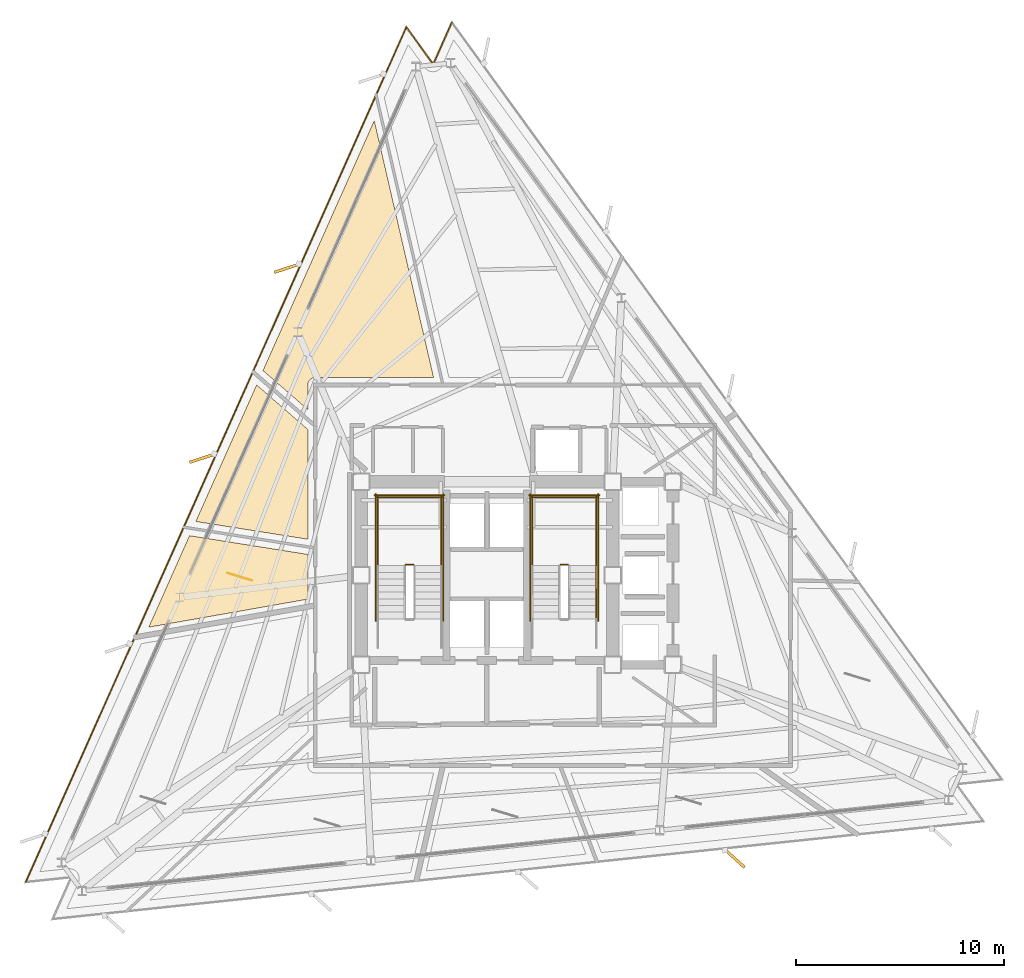
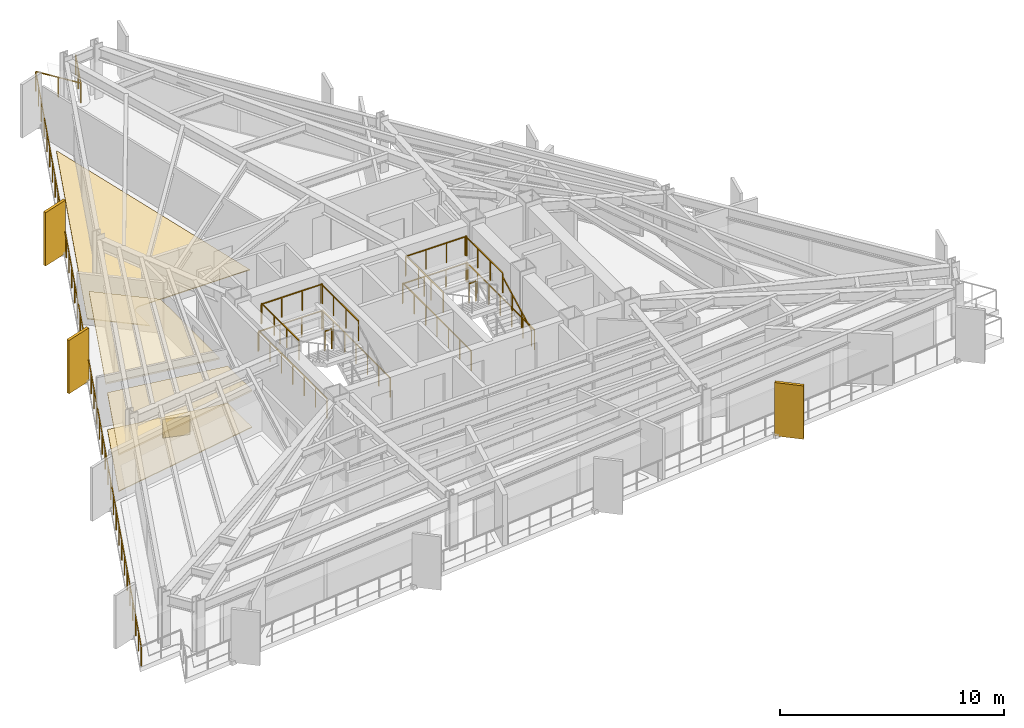
# One storey, part 11 of 12: 16 railings, 5 coverings, 3 shading devices.
"""IFC4 building model written with IfcOpenShell, lengths in metres."""

from ifc_helpers import new_model, si_unit, direction, frame, origin, origin_2d, place, context, subcontext, project, spatial, polyline, rectangle, outline, extrude, material, layer, layer_set, type_object, element, save


model = new_model("IFC4")

# Units and contexts
model_context = context("Model", 3, precision=1e-05, world=origin(), true_north=direction((0.0, 1.0)))
body_context = subcontext(model_context, "Body", "Model", "MODEL_VIEW")
ifc_project = project(units=[si_unit("LENGTHUNIT", "METRE"), si_unit("AREAUNIT", "SQUARE_METRE"), si_unit("VOLUMEUNIT", "CUBIC_METRE"), si_unit("PLANEANGLEUNIT", "RADIAN"), si_unit("MASSUNIT", "GRAM", prefix="KILO")], contexts=[model_context])

# Site, building, storey
site_placement = place(None, origin())
site = spatial("IfcSite", under=ifc_project, at=site_placement, CompositionType="ELEMENT")
building_placement = place(site_placement, origin())
building = spatial("IfcBuilding", under=site, at=building_placement, Name="Rocaltana Carrier Exchange", CompositionType="ELEMENT")
storey_placement = place(building_placement, frame((0.0, 0.0, 113.760009765625)))
storey = spatial("IfcBuildingStorey", under=building, at=storey_placement, Name="L35", CompositionType="ELEMENT", Elevation=113.760009765625)

# Coverings
ifc_material_1 = material(Name="Honed Bogota Sandstone Tile", Category="masonry")
ifc_layer_1 = layer(ifc_material_1, 0.0400390625)
ifc_layer_set_1 = layer_set([ifc_layer_1], Name="Honed Bogota Sandstone Tile")
covering_type_1 = type_object("IfcCoveringType", Name="Honed Stone Lobby Flooring 40", PredefinedType="FLOORING", material=ifc_layer_set_1)
covering_1_placement = place(storey_placement, origin())
element("IfcCovering", 1, at=covering_1_placement, inside=storey, type_object=covering_type_1, Name="L35 Peering Conference Room Finish Floor", PredefinedType="FLOORING", context=body_context, shape_type="SweptSolid", body=[
    extrude(outline(polyline([(-14.3017578125, 1.900634765625), (-8.610107421875, 0.999267578125), (-8.610107421875, -1.152587890625), (-16.26171875, -2.501708984375), (-14.3017578125, 1.900634765625)])), origin(), (0.0, 0.0, 1.0), 0.0400390625),
])
covering_2_placement = place(storey_placement, origin())
element("IfcCovering", 2, at=covering_2_placement, inside=storey, type_object=covering_type_1, Name="L35 Incident Briefing Room Finish Floor", PredefinedType="FLOORING", context=body_context, shape_type="SweptSolid", body=[
    extrude(outline(polyline([(-5.416015625, 21.8583984375), (-2.56494140625, 9.510009765625), (-8.25, 9.510009765625), (-8.263671875, 9.509765625), (-8.271484375, 9.50927734375), (-8.298828125, 9.506591796875), (-8.306640625, 9.50537109375), (-8.33349609375, 9.5), (-8.34130859375, 9.498291015625), (-8.36767578125, 9.490234375), (-8.375, 9.487548828125), (-8.400390625, 9.47705078125), (-8.407470703125, 9.4736328125), (-8.431640625, 9.460693359375), (-8.4384765625, 9.456787109375), (-8.461181640625, 9.44140625), (-8.467529296875, 9.436767578125), (-8.48876953125, 9.419189453125), (-8.49462890625, 9.4140625), (-8.513916015625, 9.39453125), (-8.519287109375, 9.388916015625), (-8.53662109375, 9.367431640625), (-8.54150390625, 9.361083984375), (-8.556640625, 9.33837890625), (-8.560791015625, 9.331787109375), (-8.57373046875, 9.307373046875), (-8.576904296875, 9.30029296875), (-8.58740234375, 9.27490234375), (-8.590087890625, 9.267578125), (-8.59814453125, 9.2412109375), (-8.60009765625, 9.233642578125), (-8.60546875, 9.206787109375), (-8.606689453125, 9.198974609375), (-8.609375, 9.171630859375), (-8.609619140625, 9.163818359375), (-8.610107421875, 9.14990234375), (-8.610107421875, 7.961669921875), (-10.76806640625, 9.83740234375), (-5.416015625, 21.8583984375)])), origin(), (0.0, 0.0, 1.0), 0.0400390625),
])
ifc_material_2 = material(Name="Anodised Aluminium 6063-T6", Category="aluminium")
ifc_layer_2 = layer(ifc_material_2, 0.0849609375)
ifc_layer_set_2 = layer_set([ifc_layer_2], Name="Anodised Aluminium 6063-T6")
covering_type_2 = type_object("IfcCoveringType", Name="Linear Baffle Acoustic Ceiling 85", PredefinedType="CEILING", material=ifc_layer_set_2)
covering_3_placement = place(storey_placement, frame((0.0, 0.0, 1.972900390625)))
element("IfcCovering", 3, at=covering_3_placement, inside=storey, type_object=covering_type_2, Name="L35 Peering Conference Room Acoustic Ceiling", PredefinedType="CEILING", context=body_context, shape_type="SweptSolid", body=[
    extrude(outline(polyline([(-14.3017578125, 1.900634765625), (-8.610107421875, 0.999267578125), (-8.610107421875, -1.152587890625), (-16.26171875, -2.501708984375), (-14.3017578125, 1.900634765625)])), origin(), (0.0, 0.0, 1.0), 0.085205078125),
])
covering_4_placement = place(storey_placement, frame((0.0, 0.0, 1.972900390625)))
element("IfcCovering", 4, at=covering_4_placement, inside=storey, type_object=covering_type_2, Name="L35 Peering Conference Room Acoustic Ceiling", PredefinedType="CEILING", context=body_context, shape_type="SweptSolid", body=[
    extrude(outline(polyline([(-11.07421875, 9.149658203125), (-8.610107421875, 7.007568359375), (-8.610107421875, 1.728271484375), (-13.99853515625, 2.58154296875), (-11.07421875, 9.149658203125)])), origin(), (0.0, 0.0, 1.0), 0.085205078125),
])

# Railings
ifc_material_3 = material(Name="Brushed Architectural Stainless Tube", Category="steel")
ifc_layer_3 = layer(ifc_material_3, 0.048095703125)
ifc_layer_set_3 = layer_set([ifc_layer_3], Name="Brushed Architectural Stainless Tube")
railing_type_1 = type_object("IfcRailingType", Name="Stair Wall Handrail 920", PredefinedType="HANDRAIL", material=ifc_layer_set_3)
railing_1_placement = place(storey_placement, frame((5.25, -2.10009765625, 0.1689453125)))
element("IfcRailing", 5, at=railing_1_placement, inside=storey, type_object=railing_type_1, Name="L35 ST-2 stair handrail 1", PredefinedType="HANDRAIL", context=body_context, shape_type="SweptSolid", body=[
    extrude(rectangle(XDim=0.048095703125, YDim=0.048095703125, at=origin_2d()), frame((0.0, 0.0, 0.8759765625), z_axis=(0.0, 0.884394423565, 0.466740295633), x_axis=(-1.0, 0.0, 0.0)), (0.0, 0.0, 1.0), 2.894775390625),
    extrude(rectangle(XDim=0.0419921875, YDim=0.0419921875, at=origin_2d()), origin(), (0.0, 0.0, 1.0), 0.851806640625),
    extrude(rectangle(XDim=0.0419921875, YDim=0.0419921875, at=origin_2d()), frame((0.0, 0.853271484375, 0.450439453125)), (0.0, 0.0, 1.0), 0.851806640625),
    extrude(rectangle(XDim=0.0419921875, YDim=0.0419921875, at=origin_2d()), frame((0.0, 1.706787109375, 0.900634765625)), (0.0, 0.0, 1.0), 0.851806640625),
    extrude(rectangle(XDim=0.0419921875, YDim=0.0419921875, at=origin_2d()), frame((0.0, 2.56005859375, 1.35107421875)), (0.0, 0.0, 1.0), 0.851806640625),
])
ifc_material_4 = material(Name="Powder-Coated Aluminium 6063-T6", Category="aluminium")
ifc_layer_4 = layer(ifc_material_4, 0.048095703125)
ifc_layer_set_4 = layer_set([ifc_layer_4], Name="Powder-Coated Aluminium 6063-T6")
railing_type_2 = type_object("IfcRailingType", Name="Stair Well Guardrail 1100", PredefinedType="GUARDRAIL", material=ifc_layer_set_4)
railing_2_placement = place(storey_placement, frame((-3.5400390625, 0.510009765625, 1.52001953125)))
element("IfcRailing", 6, at=railing_2_placement, inside=storey, type_object=railing_type_2, Name="L35 ST-1 stair guard 2", PredefinedType="GUARDRAIL", context=body_context, shape_type="SweptSolid", body=[
    extrude(rectangle(XDim=0.048095703125, YDim=0.048095703125, at=origin_2d()), frame((0.0, 0.0, 1.076171875), z_axis=(-1.0, 0.0, 0.0), x_axis=(0.0, -1.0, 0.0)), (0.0, 0.0, 1.0), 0.35986328125),
    extrude(rectangle(XDim=0.0419921875, YDim=0.0419921875, at=origin_2d()), origin(), (0.0, 0.0, 1.0), 1.052001953125),
    extrude(rectangle(XDim=0.0419921875, YDim=0.0419921875, at=origin_2d()), frame((-0.35986328125, 0.0, 0.0)), (0.0, 0.0, 1.0), 1.052001953125),
])
for number, where, name in (
    (7, (-2.18994140625, 0.4599609375, 1.52001953125), "L35 ST-1 stair guard 3"),
    (8, (-5.25, 0.4599609375, 1.52001953125), "L35 ST-1 stair guard 4"),
):
    element("IfcRailing", number, at=place(storey_placement, frame(where)), inside=storey, type_object=railing_type_2, Name=name, PredefinedType="GUARDRAIL", context=body_context, shape_type="SweptSolid", body=[
        extrude(rectangle(XDim=0.048095703125, YDim=0.048095703125, at=origin_2d()), frame((0.0, 0.0, 1.076171875), z_axis=(0.0, 1.0, 0.0), x_axis=(-1.0, 0.0, 0.0)), (0.0, 0.0, 1.0), 3.340087890625),
        extrude(rectangle(XDim=0.0419921875, YDim=0.0419921875, at=origin_2d()), origin(), (0.0, 0.0, 1.0), 1.052001953125),
        extrude(rectangle(XDim=0.0419921875, YDim=0.0419921875, at=origin_2d()), frame((0.0, 1.11328125, 0.0)), (0.0, 0.0, 1.0), 1.052001953125),
        extrude(rectangle(XDim=0.0419921875, YDim=0.0419921875, at=origin_2d()), frame((0.0, 2.226806640625, 0.0)), (0.0, 0.0, 1.0), 1.052001953125),
        extrude(rectangle(XDim=0.0419921875, YDim=0.0419921875, at=origin_2d()), frame((0.0, 3.340087890625, 0.0)), (0.0, 0.0, 1.0), 1.052001953125),
    ])
railing_3_placement = place(storey_placement, frame((-2.139892578125, 3.75, 1.52001953125)))
element("IfcRailing", 9, at=railing_3_placement, inside=storey, type_object=railing_type_2, Name="L35 ST-1 stair guard 5", PredefinedType="GUARDRAIL", context=body_context, shape_type="SweptSolid", body=[
    extrude(rectangle(XDim=0.048095703125, YDim=0.048095703125, at=origin_2d()), frame((0.0, 0.0, 1.076171875), z_axis=(-1.0, 0.0, 0.0), x_axis=(0.0, -1.0, 0.0)), (0.0, 0.0, 1.0), 3.16015625),
    extrude(rectangle(XDim=0.0419921875, YDim=0.0419921875, at=origin_2d()), origin(), (0.0, 0.0, 1.0), 1.052001953125),
    extrude(rectangle(XDim=0.0419921875, YDim=0.0419921875, at=origin_2d()), frame((-1.053466796875, 0.0, 0.0)), (0.0, 0.0, 1.0), 1.052001953125),
    extrude(rectangle(XDim=0.0419921875, YDim=0.0419921875, at=origin_2d()), frame((-2.106689453125, 0.0, 0.0)), (0.0, 0.0, 1.0), 1.052001953125),
    extrude(rectangle(XDim=0.0419921875, YDim=0.0419921875, at=origin_2d()), frame((-3.16015625, 0.0, 0.0)), (0.0, 0.0, 1.0), 1.052001953125),
])
for number, where, name in (
    (10, (-2.090087890625, -2.199951171875, 0.0), "L35 ST-1 stair guard 10"),
    (11, (-5.35009765625, -2.199951171875, 0.0), "L35 ST-1 stair guard 11"),
):
    element("IfcRailing", number, at=place(storey_placement, frame(where)), inside=storey, type_object=railing_type_2, Name=name, PredefinedType="GUARDRAIL", context=body_context, shape_type="SweptSolid", body=[
        extrude(rectangle(XDim=0.048095703125, YDim=0.048095703125, at=origin_2d()), frame((0.0, 0.0, 1.076171875), z_axis=(0.0, 1.0, 0.0), x_axis=(-1.0, 0.0, 0.0)), (0.0, 0.0, 1.0), 6.099853515625),
        extrude(rectangle(XDim=0.0419921875, YDim=0.0419921875, at=origin_2d()), origin(), (0.0, 0.0, 1.0), 1.052001953125),
        extrude(rectangle(XDim=0.0419921875, YDim=0.0419921875, at=origin_2d()), frame((0.0, 1.0166015625, 0.0)), (0.0, 0.0, 1.0), 1.052001953125),
        extrude(rectangle(XDim=0.0419921875, YDim=0.0419921875, at=origin_2d()), frame((0.0, 2.033203125, 0.0)), (0.0, 0.0, 1.0), 1.052001953125),
        extrude(rectangle(XDim=0.0419921875, YDim=0.0419921875, at=origin_2d()), frame((0.0, 3.0498046875, 0.0)), (0.0, 0.0, 1.0), 1.052001953125),
        extrude(rectangle(XDim=0.0419921875, YDim=0.0419921875, at=origin_2d()), frame((0.0, 4.066650390625, 0.0)), (0.0, 0.0, 1.0), 1.052001953125),
        extrude(rectangle(XDim=0.0419921875, YDim=0.0419921875, at=origin_2d()), frame((0.0, 5.083251953125, 0.0)), (0.0, 0.0, 1.0), 1.052001953125),
        extrude(rectangle(XDim=0.0419921875, YDim=0.0419921875, at=origin_2d()), frame((0.0, 6.099853515625, 0.0)), (0.0, 0.0, 1.0), 1.052001953125),
    ])
railing_4_placement = place(storey_placement, frame((-2.0400390625, 3.85009765625, 0.0)))
element("IfcRailing", 12, at=railing_4_placement, inside=storey, type_object=railing_type_2, Name="L35 ST-1 stair guard 12", PredefinedType="GUARDRAIL", context=body_context, shape_type="SweptSolid", body=[
    extrude(rectangle(XDim=0.048095703125, YDim=0.048095703125, at=origin_2d()), frame((0.0, 0.0, 1.076171875), z_axis=(-1.0, 0.0, 0.0), x_axis=(0.0, -1.0, 0.0)), (0.0, 0.0, 1.0), 3.35986328125),
    extrude(rectangle(XDim=0.0419921875, YDim=0.0419921875, at=origin_2d()), origin(), (0.0, 0.0, 1.0), 1.052001953125),
    extrude(rectangle(XDim=0.0419921875, YDim=0.0419921875, at=origin_2d()), frame((-1.119873046875, 0.0, 0.0)), (0.0, 0.0, 1.0), 1.052001953125),
    extrude(rectangle(XDim=0.0419921875, YDim=0.0419921875, at=origin_2d()), frame((-2.239990234375, 0.0, 0.0)), (0.0, 0.0, 1.0), 1.052001953125),
    extrude(rectangle(XDim=0.0419921875, YDim=0.0419921875, at=origin_2d()), frame((-3.35986328125, 0.0, 0.0)), (0.0, 0.0, 1.0), 1.052001953125),
])
railing_5_placement = place(storey_placement, frame((3.89990234375, 0.510009765625, 1.52001953125)))
element("IfcRailing", 13, at=railing_5_placement, inside=storey, type_object=railing_type_2, Name="L35 ST-2 stair guard 2", PredefinedType="GUARDRAIL", context=body_context, shape_type="SweptSolid", body=[
    extrude(rectangle(XDim=0.048095703125, YDim=0.048095703125, at=origin_2d()), frame((0.0, 0.0, 1.076171875), z_axis=(-1.0, 0.0, 0.0), x_axis=(0.0, -1.0, 0.0)), (0.0, 0.0, 1.0), 0.35986328125),
    extrude(rectangle(XDim=0.0419921875, YDim=0.0419921875, at=origin_2d()), origin(), (0.0, 0.0, 1.0), 1.052001953125),
    extrude(rectangle(XDim=0.0419921875, YDim=0.0419921875, at=origin_2d()), frame((-0.35986328125, 0.0, 0.0)), (0.0, 0.0, 1.0), 1.052001953125),
])
for number, where, name in (
    (14, (5.25, 0.4599609375, 1.52001953125), "L35 ST-2 stair guard 3"),
    (15, (2.18994140625, 0.4599609375, 1.52001953125), "L35 ST-2 stair guard 4"),
):
    element("IfcRailing", number, at=place(storey_placement, frame(where)), inside=storey, type_object=railing_type_2, Name=name, PredefinedType="GUARDRAIL", context=body_context, shape_type="SweptSolid", body=[
        extrude(rectangle(XDim=0.048095703125, YDim=0.048095703125, at=origin_2d()), frame((0.0, 0.0, 1.076171875), z_axis=(0.0, 1.0, 0.0), x_axis=(-1.0, 0.0, 0.0)), (0.0, 0.0, 1.0), 3.340087890625),
        extrude(rectangle(XDim=0.0419921875, YDim=0.0419921875, at=origin_2d()), origin(), (0.0, 0.0, 1.0), 1.052001953125),
        extrude(rectangle(XDim=0.0419921875, YDim=0.0419921875, at=origin_2d()), frame((0.0, 1.11328125, 0.0)), (0.0, 0.0, 1.0), 1.052001953125),
        extrude(rectangle(XDim=0.0419921875, YDim=0.0419921875, at=origin_2d()), frame((0.0, 2.226806640625, 0.0)), (0.0, 0.0, 1.0), 1.052001953125),
        extrude(rectangle(XDim=0.0419921875, YDim=0.0419921875, at=origin_2d()), frame((0.0, 3.340087890625, 0.0)), (0.0, 0.0, 1.0), 1.052001953125),
    ])
railing_6_placement = place(storey_placement, frame((5.300048828125, 3.75, 1.52001953125)))
element("IfcRailing", 16, at=railing_6_placement, inside=storey, type_object=railing_type_2, Name="L35 ST-2 stair guard 5", PredefinedType="GUARDRAIL", context=body_context, shape_type="SweptSolid", body=[
    extrude(rectangle(XDim=0.048095703125, YDim=0.048095703125, at=origin_2d()), frame((0.0, 0.0, 1.076171875), z_axis=(-1.0, 0.0, 0.0), x_axis=(0.0, -1.0, 0.0)), (0.0, 0.0, 1.0), 3.16015625),
    extrude(rectangle(XDim=0.0419921875, YDim=0.0419921875, at=origin_2d()), origin(), (0.0, 0.0, 1.0), 1.052001953125),
    extrude(rectangle(XDim=0.0419921875, YDim=0.0419921875, at=origin_2d()), frame((-1.053466796875, 0.0, 0.0)), (0.0, 0.0, 1.0), 1.052001953125),
    extrude(rectangle(XDim=0.0419921875, YDim=0.0419921875, at=origin_2d()), frame((-2.106689453125, 0.0, 0.0)), (0.0, 0.0, 1.0), 1.052001953125),
    extrude(rectangle(XDim=0.0419921875, YDim=0.0419921875, at=origin_2d()), frame((-3.16015625, 0.0, 0.0)), (0.0, 0.0, 1.0), 1.052001953125),
])
for number, where, name in (
    (17, (5.35009765625, -2.199951171875, 0.0), "L35 ST-2 stair guard 10"),
    (18, (2.090087890625, -2.199951171875, 0.0), "L35 ST-2 stair guard 11"),
):
    element("IfcRailing", number, at=place(storey_placement, frame(where)), inside=storey, type_object=railing_type_2, Name=name, PredefinedType="GUARDRAIL", context=body_context, shape_type="SweptSolid", body=[
        extrude(rectangle(XDim=0.048095703125, YDim=0.048095703125, at=origin_2d()), frame((0.0, 0.0, 1.076171875), z_axis=(0.0, 1.0, 0.0), x_axis=(-1.0, 0.0, 0.0)), (0.0, 0.0, 1.0), 6.099853515625),
        extrude(rectangle(XDim=0.0419921875, YDim=0.0419921875, at=origin_2d()), origin(), (0.0, 0.0, 1.0), 1.052001953125),
        extrude(rectangle(XDim=0.0419921875, YDim=0.0419921875, at=origin_2d()), frame((0.0, 1.0166015625, 0.0)), (0.0, 0.0, 1.0), 1.052001953125),
        extrude(rectangle(XDim=0.0419921875, YDim=0.0419921875, at=origin_2d()), frame((0.0, 2.033203125, 0.0)), (0.0, 0.0, 1.0), 1.052001953125),
        extrude(rectangle(XDim=0.0419921875, YDim=0.0419921875, at=origin_2d()), frame((0.0, 3.0498046875, 0.0)), (0.0, 0.0, 1.0), 1.052001953125),
        extrude(rectangle(XDim=0.0419921875, YDim=0.0419921875, at=origin_2d()), frame((0.0, 4.066650390625, 0.0)), (0.0, 0.0, 1.0), 1.052001953125),
        extrude(rectangle(XDim=0.0419921875, YDim=0.0419921875, at=origin_2d()), frame((0.0, 5.083251953125, 0.0)), (0.0, 0.0, 1.0), 1.052001953125),
        extrude(rectangle(XDim=0.0419921875, YDim=0.0419921875, at=origin_2d()), frame((0.0, 6.099853515625, 0.0)), (0.0, 0.0, 1.0), 1.052001953125),
    ])
railing_7_placement = place(storey_placement, frame((5.39990234375, 3.85009765625, 0.0)))
element("IfcRailing", 19, at=railing_7_placement, inside=storey, type_object=railing_type_2, Name="L35 ST-2 stair guard 12", PredefinedType="GUARDRAIL", context=body_context, shape_type="SweptSolid", body=[
    extrude(rectangle(XDim=0.048095703125, YDim=0.048095703125, at=origin_2d()), frame((0.0, 0.0, 1.076171875), z_axis=(-1.0, 0.0, 0.0), x_axis=(0.0, -1.0, 0.0)), (0.0, 0.0, 1.0), 3.35986328125),
    extrude(rectangle(XDim=0.0419921875, YDim=0.0419921875, at=origin_2d()), origin(), (0.0, 0.0, 1.0), 1.052001953125),
    extrude(rectangle(XDim=0.0419921875, YDim=0.0419921875, at=origin_2d()), frame((-1.119873046875, 0.0, 0.0)), (0.0, 0.0, 1.0), 1.052001953125),
    extrude(rectangle(XDim=0.0419921875, YDim=0.0419921875, at=origin_2d()), frame((-2.239990234375, 0.0, 0.0)), (0.0, 0.0, 1.0), 1.052001953125),
    extrude(rectangle(XDim=0.0419921875, YDim=0.0419921875, at=origin_2d()), frame((-3.35986328125, 0.0, 0.0)), (0.0, 0.0, 1.0), 1.052001953125),
])

# Covering
ifc_material_5 = material(Name="Honed Piedra Muneca Sandstone", Category="masonry")
ifc_layer_5 = layer(ifc_material_5, 0.034912109375)
ifc_layer_set_5 = layer_set([ifc_layer_5], Name="Honed Piedra Muneca Sandstone")
covering_type_3 = type_object("IfcCoveringType", Name="Stone Facade Cladding 35", PredefinedType="CLADDING", material=ifc_layer_set_5)
covering_5_placement = place(storey_placement, frame((-11.89599609375, -0.07666015625, 0.0), z_axis=(0.0, 0.0, 1.0), x_axis=(-0.956304755963, 0.292371704723, 0.0)))
element("IfcCovering", 20, at=covering_5_placement, inside=storey, type_object=covering_type_3, Name="L35 Stone Facade Cladding Panel 1", PredefinedType="CLADDING", context=body_context, shape_type="SweptSolid", body=[
    extrude(rectangle(XDim=1.25, YDim=0.034912109375, at=origin_2d()), origin(), (0.0, 0.0, 1.0), 1.050048828125),
])

# Shading devices
ifc_material_6 = material(Name="Honed Bogota Sandstone & Concrete C45/55", Category="masonry")
ifc_layer_6 = layer(ifc_material_6, 0.139892578125)
ifc_layer_set_6 = layer_set([ifc_layer_6], Name="Honed Bogota Sandstone & Concrete C45/55")
shading_device_type = type_object("IfcShadingDeviceType", Name="Vertical Sandstone Shading Fin 1320x140", PredefinedType="USERDEFINED", material=ifc_layer_set_6)
for number, where, z_axis, x_axis, name in (
    (21, (-9.602783203125, 14.767578125, -0.1201171875), (0.0, 0.0, 1.0), (-0.951056516295, -0.309016994375, 0.0), "L35 Sandstone Vertical Fin F2-02"),
    (22, (-13.670166015625, 5.632080078125, -0.1201171875), (0.0, 0.0, 1.0), (-0.951056516295, -0.309016994375, 0.0), "L35 Sandstone Vertical Fin F2-03"),
    (23, (11.902587890625, -13.609375, -0.1201171875), (0.0, 0.0, 1.0), (0.743144825477, -0.669130606359, 0.0), "L35 Sandstone Vertical Fin F3-04"),
):
    element("IfcShadingDevice", number, at=place(storey_placement, frame(where, z_axis=z_axis, x_axis=x_axis)), inside=storey, type_object=shading_device_type, Name=name, ObjectType="FIN", PredefinedType="USERDEFINED", context=body_context, shape_type="SweptSolid", body=[
        extrude(rectangle(XDim=1.320068359375, YDim=0.139892578125, at=origin_2d()), origin(), (0.0, 0.0, 1.0), 2.907958984375),
    ])

# Railing
ifc_material_7 = material(Name="Powder-Coated Aluminium 6063-T6", Category="aluminium")
ifc_layer_7 = layer(ifc_material_7, 0.06005859375)
ifc_layer_set_7 = layer_set([ifc_layer_7], Name="Powder-Coated Aluminium 6063-T6")
railing_type_3 = type_object("IfcRailingType", Name="Wind-Floor & Terrace Perimeter Guardrail 1100", PredefinedType="GUARDRAIL", material=ifc_layer_set_7)
railing_8_placement = place(storey_placement, frame((-22.175537109375, -14.751953125, 0.0)))
element("IfcRailing", 24, at=railing_8_placement, inside=storey, type_object=railing_type_3, Name="L35 Perimeter Balcony Guardrail 2", PredefinedType="GUARDRAIL", context=body_context, shape_type="SweptSolid", body=[
    extrude(rectangle(XDim=0.048095703125, YDim=0.048095703125, at=origin_2d()), frame((0.0, 0.0, 1.076171875), z_axis=(0.406732474308, 0.913547313686, 0.0), x_axis=(-0.913547313686, 0.406732474308, 0.0)), (0.0, 0.0, 1.0), 44.9921875),
    extrude(rectangle(XDim=0.048095703125, YDim=0.048095703125, at=origin_2d()), frame((18.2998046875, 41.1025390625, 1.076171875), z_axis=(0.587821928992, -0.808990345923, 0.0), x_axis=(0.808990345923, 0.587821928992, 0.0)), (0.0, 0.0, 1.0), 2.199951171875),
    extrude(rectangle(XDim=0.048095703125, YDim=0.048095703125, at=origin_2d()), frame((19.593017578125, 39.32275390625, 1.076171875), z_axis=(0.406725294076, 0.913550510459, 0.0), x_axis=(-0.913550510459, 0.406725294076, 0.0)), (0.0, 0.0, 1.0), 2.199951171875),
    extrude(rectangle(XDim=0.0419921875, YDim=0.0419921875, at=origin_2d()), origin(), (0.0, 0.0, 1.0), 1.052001953125),
    extrude(rectangle(XDim=0.0419921875, YDim=0.0419921875, at=origin_2d()), frame((0.481689453125, 1.08154296875, 0.0)), (0.0, 0.0, 1.0), 1.052001953125),
    extrude(rectangle(XDim=0.0419921875, YDim=0.0419921875, at=origin_2d()), frame((0.963134765625, 2.163330078125, 0.0)), (0.0, 0.0, 1.0), 1.052001953125),
    extrude(rectangle(XDim=0.0419921875, YDim=0.0419921875, at=origin_2d()), frame((1.44482421875, 3.244873046875, 0.0)), (0.0, 0.0, 1.0), 1.052001953125),
    extrude(rectangle(XDim=0.0419921875, YDim=0.0419921875, at=origin_2d()), frame((1.92626953125, 4.32666015625, 0.0)), (0.0, 0.0, 1.0), 1.052001953125),
    extrude(rectangle(XDim=0.0419921875, YDim=0.0419921875, at=origin_2d()), frame((2.407958984375, 5.408203125, 0.0)), (0.0, 0.0, 1.0), 1.052001953125),
    extrude(rectangle(XDim=0.0419921875, YDim=0.0419921875, at=origin_2d()), frame((2.889404296875, 6.489990234375, 0.0)), (0.0, 0.0, 1.0), 1.052001953125),
    extrude(rectangle(XDim=0.0419921875, YDim=0.0419921875, at=origin_2d()), frame((3.37109375, 7.571533203125, 0.0)), (0.0, 0.0, 1.0), 1.052001953125),
    extrude(rectangle(XDim=0.0419921875, YDim=0.0419921875, at=origin_2d()), frame((3.8525390625, 8.653076171875, 0.0)), (0.0, 0.0, 1.0), 1.052001953125),
    extrude(rectangle(XDim=0.0419921875, YDim=0.0419921875, at=origin_2d()), frame((4.334228515625, 9.73486328125, 0.0)), (0.0, 0.0, 1.0), 1.052001953125),
    extrude(rectangle(XDim=0.0419921875, YDim=0.0419921875, at=origin_2d()), frame((4.815673828125, 10.81640625, 0.0)), (0.0, 0.0, 1.0), 1.052001953125),
    extrude(rectangle(XDim=0.0419921875, YDim=0.0419921875, at=origin_2d()), frame((5.29736328125, 11.898193359375, 0.0)), (0.0, 0.0, 1.0), 1.052001953125),
    extrude(rectangle(XDim=0.0419921875, YDim=0.0419921875, at=origin_2d()), frame((5.77880859375, 12.979736328125, 0.0)), (0.0, 0.0, 1.0), 1.052001953125),
    extrude(rectangle(XDim=0.0419921875, YDim=0.0419921875, at=origin_2d()), frame((6.260498046875, 14.061279296875, 0.0)), (0.0, 0.0, 1.0), 1.052001953125),
    extrude(rectangle(XDim=0.0419921875, YDim=0.0419921875, at=origin_2d()), frame((6.741943359375, 15.14306640625, 0.0)), (0.0, 0.0, 1.0), 1.052001953125),
    extrude(rectangle(XDim=0.0419921875, YDim=0.0419921875, at=origin_2d()), frame((7.2236328125, 16.224609375, 0.0)), (0.0, 0.0, 1.0), 1.052001953125),
    extrude(rectangle(XDim=0.0419921875, YDim=0.0419921875, at=origin_2d()), frame((7.705078125, 17.306396484375, 0.0)), (0.0, 0.0, 1.0), 1.052001953125),
    extrude(rectangle(XDim=0.0419921875, YDim=0.0419921875, at=origin_2d()), frame((8.186767578125, 18.387939453125, 0.0)), (0.0, 0.0, 1.0), 1.052001953125),
    extrude(rectangle(XDim=0.0419921875, YDim=0.0419921875, at=origin_2d()), frame((8.668212890625, 19.4697265625, 0.0)), (0.0, 0.0, 1.0), 1.052001953125),
    extrude(rectangle(XDim=0.0419921875, YDim=0.0419921875, at=origin_2d()), frame((9.14990234375, 20.55126953125, 0.0)), (0.0, 0.0, 1.0), 1.052001953125),
    extrude(rectangle(XDim=0.0419921875, YDim=0.0419921875, at=origin_2d()), frame((9.631591796875, 21.6328125, 0.0)), (0.0, 0.0, 1.0), 1.052001953125),
    extrude(rectangle(XDim=0.0419921875, YDim=0.0419921875, at=origin_2d()), frame((10.113037109375, 22.714599609375, 0.0)), (0.0, 0.0, 1.0), 1.052001953125),
    extrude(rectangle(XDim=0.0419921875, YDim=0.0419921875, at=origin_2d()), frame((10.5947265625, 23.796142578125, 0.0)), (0.0, 0.0, 1.0), 1.052001953125),
    extrude(rectangle(XDim=0.0419921875, YDim=0.0419921875, at=origin_2d()), frame((11.076171875, 24.8779296875, 0.0)), (0.0, 0.0, 1.0), 1.052001953125),
    extrude(rectangle(XDim=0.0419921875, YDim=0.0419921875, at=origin_2d()), frame((11.557861328125, 25.95947265625, 0.0)), (0.0, 0.0, 1.0), 1.052001953125),
    extrude(rectangle(XDim=0.0419921875, YDim=0.0419921875, at=origin_2d()), frame((12.039306640625, 27.041259765625, 0.0)), (0.0, 0.0, 1.0), 1.052001953125),
    extrude(rectangle(XDim=0.0419921875, YDim=0.0419921875, at=origin_2d()), frame((12.52099609375, 28.122802734375, 0.0)), (0.0, 0.0, 1.0), 1.052001953125),
    extrude(rectangle(XDim=0.0419921875, YDim=0.0419921875, at=origin_2d()), frame((13.00244140625, 29.204345703125, 0.0)), (0.0, 0.0, 1.0), 1.052001953125),
    extrude(rectangle(XDim=0.0419921875, YDim=0.0419921875, at=origin_2d()), frame((13.484130859375, 30.2861328125, 0.0)), (0.0, 0.0, 1.0), 1.052001953125),
    extrude(rectangle(XDim=0.0419921875, YDim=0.0419921875, at=origin_2d()), frame((13.965576171875, 31.36767578125, 0.0)), (0.0, 0.0, 1.0), 1.052001953125),
    extrude(rectangle(XDim=0.0419921875, YDim=0.0419921875, at=origin_2d()), frame((14.447265625, 32.449462890625, 0.0)), (0.0, 0.0, 1.0), 1.052001953125),
    extrude(rectangle(XDim=0.0419921875, YDim=0.0419921875, at=origin_2d()), frame((14.9287109375, 33.531005859375, 0.0)), (0.0, 0.0, 1.0), 1.052001953125),
    extrude(rectangle(XDim=0.0419921875, YDim=0.0419921875, at=origin_2d()), frame((15.410400390625, 34.612548828125, 0.0)), (0.0, 0.0, 1.0), 1.052001953125),
    extrude(rectangle(XDim=0.0419921875, YDim=0.0419921875, at=origin_2d()), frame((15.891845703125, 35.6943359375, 0.0)), (0.0, 0.0, 1.0), 1.052001953125),
    extrude(rectangle(XDim=0.0419921875, YDim=0.0419921875, at=origin_2d()), frame((16.37353515625, 36.77587890625, 0.0)), (0.0, 0.0, 1.0), 1.052001953125),
    extrude(rectangle(XDim=0.0419921875, YDim=0.0419921875, at=origin_2d()), frame((16.85498046875, 37.857666015625, 0.0)), (0.0, 0.0, 1.0), 1.052001953125),
    extrude(rectangle(XDim=0.0419921875, YDim=0.0419921875, at=origin_2d()), frame((17.336669921875, 38.939208984375, 0.0)), (0.0, 0.0, 1.0), 1.052001953125),
    extrude(rectangle(XDim=0.0419921875, YDim=0.0419921875, at=origin_2d()), frame((17.818115234375, 40.02099609375, 0.0)), (0.0, 0.0, 1.0), 1.052001953125),
    extrude(rectangle(XDim=0.0419921875, YDim=0.0419921875, at=origin_2d()), frame((18.2998046875, 41.1025390625, 0.0)), (0.0, 0.0, 1.0), 1.052001953125),
    extrude(rectangle(XDim=0.0419921875, YDim=0.0419921875, at=origin_2d()), frame((18.9462890625, 40.212646484375, 0.0)), (0.0, 0.0, 1.0), 1.052001953125),
    extrude(rectangle(XDim=0.0419921875, YDim=0.0419921875, at=origin_2d()), frame((19.593017578125, 39.32275390625, 0.0)), (0.0, 0.0, 1.0), 1.052001953125),
    extrude(rectangle(XDim=0.0419921875, YDim=0.0419921875, at=origin_2d()), frame((20.04052734375, 40.32763671875, 0.0)), (0.0, 0.0, 1.0), 1.052001953125),
    extrude(rectangle(XDim=0.0419921875, YDim=0.0419921875, at=origin_2d()), frame((20.48779296875, 41.33251953125, 0.0)), (0.0, 0.0, 1.0), 1.052001953125),
])

save(model, "model.ifc")
